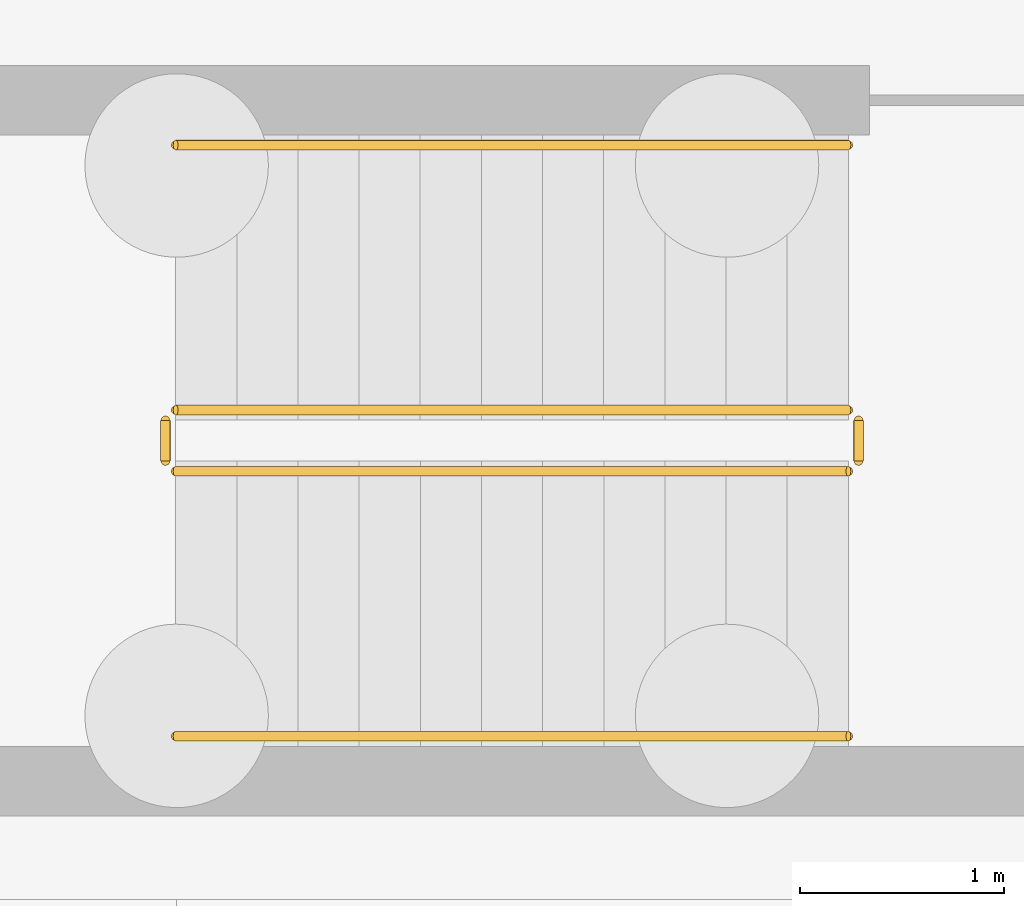
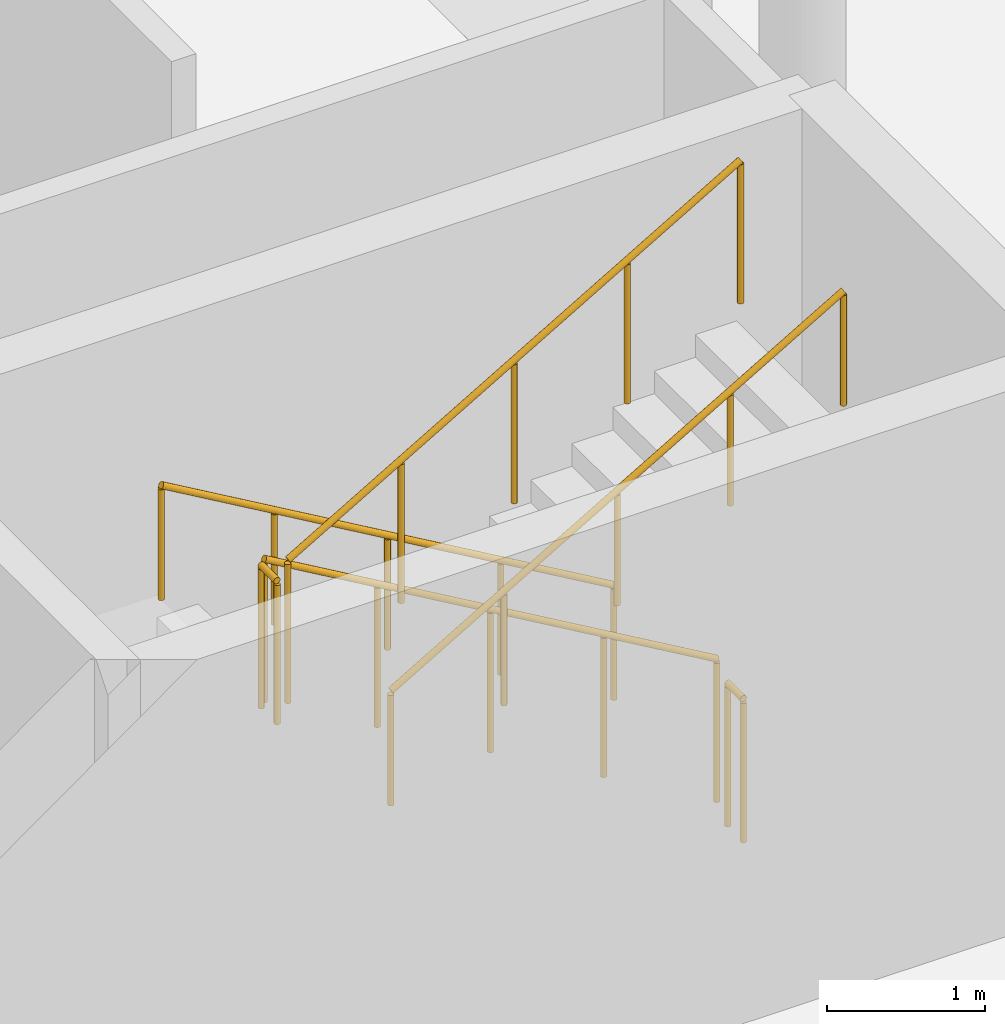
# One storey, part 41 of 43: 6 railings.
"""IFC4 building model written with IfcOpenShell, lengths in metres."""

from ifc_helpers import new_model, si_unit, direction, frame, origin, origin_2d, place, context, subcontext, project, spatial, circle, extrude, material, type_object, element, save


model = new_model("IFC4")

# Units and contexts
model_context = context("Model", 3, precision=1e-05, world=origin(), true_north=direction((0.0, 1.0)))
body_context = subcontext(model_context, "Body", "Model", "MODEL_VIEW")
ifc_project = project(units=[si_unit("LENGTHUNIT", "METRE"), si_unit("AREAUNIT", "SQUARE_METRE"), si_unit("VOLUMEUNIT", "CUBIC_METRE"), si_unit("PLANEANGLEUNIT", "RADIAN"), si_unit("MASSUNIT", "GRAM", prefix="KILO")], contexts=[model_context])

# Site, building, storey
site_placement = place(None, origin())
site = spatial("IfcSite", under=ifc_project, at=site_placement, CompositionType="ELEMENT")
building_placement = place(site_placement, origin())
building = spatial("IfcBuilding", under=site, at=building_placement, Name="Vespera Passage Community Centre", CompositionType="ELEMENT")
storey_placement = place(building_placement, frame((0.0, 0.0, -4.199951171875)))
storey = spatial("IfcBuildingStorey", under=building, at=storey_placement, Name="B1", CompositionType="ELEMENT", Elevation=-4.199951171875)

# Railings
ifc_material_1 = material(Name="Steel ASTM A500 Grade C", Category="steel")
railing_type_1 = type_object("IfcRailingType", Name="RL-HAND-900I", PredefinedType="HANDRAIL", material=ifc_material_1)
railing_1_placement = place(storey_placement, frame((144.294921875, 17.25, 0.175048828125)))
element("IfcRailing", 1, at=railing_1_placement, inside=storey, type_object=railing_type_1, Name="B1 ST08 stair handrail 1", PredefinedType="HANDRAIL", context=body_context, shape_type="SweptSolid", body=[
    extrude(circle(Radius=0.02392578125, at=origin_2d()), frame((0.0, 0.0, 0.8759765625), z_axis=(-0.863788172461, 0.0, 0.503855131081), x_axis=(0.0, -1.0, 0.0)), (0.0, 0.0, 1.0), 3.820068359375),
    extrude(circle(Radius=0.02099609375, at=origin_2d()), origin(), (0.0, 0.0, 1.0), 0.851806640625),
    extrude(circle(Radius=0.02099609375, at=origin_2d()), frame((-0.824951171875, 0.0, 0.481201171875)), (0.0, 0.0, 1.0), 0.851806640625),
    extrude(circle(Radius=0.02099609375, at=origin_2d()), frame((-1.64990234375, 0.0, 0.96240234375)), (0.0, 0.0, 1.0), 0.851806640625),
    extrude(circle(Radius=0.02099609375, at=origin_2d()), frame((-2.474853515625, 0.0, 1.443603515625)), (0.0, 0.0, 1.0), 0.851806640625),
    extrude(circle(Radius=0.02099609375, at=origin_2d()), frame((-3.2998046875, 0.0, 1.9248046875)), (0.0, 0.0, 1.0), 0.851806640625),
])
railing_2_placement = place(storey_placement, frame((140.9951171875, 14.35009765625, 2.27490234375)))
element("IfcRailing", 2, at=railing_2_placement, inside=storey, type_object=railing_type_1, Name="B1 ST08 stair handrail 2", PredefinedType="HANDRAIL", context=body_context, shape_type="SweptSolid", body=[
    extrude(circle(Radius=0.02392578125, at=origin_2d()), frame((0.0, 0.0, 0.8759765625), z_axis=(0.863760357493, 0.0, 0.503902812876), x_axis=(0.0, 1.0, 0.0)), (0.0, 0.0, 1.0), 3.8203125),
    extrude(circle(Radius=0.02099609375, at=origin_2d()), origin(), (0.0, 0.0, 1.0), 0.851806640625),
    extrude(circle(Radius=0.02099609375, at=origin_2d()), frame((0.824951171875, 0.0, 0.481201171875)), (0.0, 0.0, 1.0), 0.851806640625),
    extrude(circle(Radius=0.02099609375, at=origin_2d()), frame((1.64990234375, 0.0, 0.96240234375)), (0.0, 0.0, 1.0), 0.851806640625),
    extrude(circle(Radius=0.02099609375, at=origin_2d()), frame((2.474853515625, 0.0, 1.44384765625)), (0.0, 0.0, 1.0), 0.851806640625),
    extrude(circle(Radius=0.02099609375, at=origin_2d()), frame((3.2998046875, 0.0, 1.925048828125)), (0.0, 0.0, 1.0), 0.851806640625),
])
ifc_material_2 = material(Name="Steel ASTM A500 Grade C", Category="steel")
railing_type_2 = type_object("IfcRailingType", Name="RL-STAIR-1100I", PredefinedType="GUARDRAIL", material=ifc_material_2)
railing_3_placement = place(storey_placement, frame((144.294921875, 15.949951171875, 0.175048828125)))
element("IfcRailing", 3, at=railing_3_placement, inside=storey, type_object=railing_type_2, Name="B1 ST08 stair guard 1", PredefinedType="GUARDRAIL", context=body_context, shape_type="SweptSolid", body=[
    extrude(circle(Radius=0.02392578125, at=origin_2d()), frame((0.0, 0.0, 1.09619140625), z_axis=(-0.863788172461, 0.0, 0.503855131081), x_axis=(0.0, -1.0, 0.0)), (0.0, 0.0, 1.0), 3.820068359375),
    extrude(circle(Radius=0.02099609375, at=origin_2d()), origin(), (0.0, 0.0, 1.0), 1.072021484375),
    extrude(circle(Radius=0.02099609375, at=origin_2d()), frame((-0.824951171875, 0.0, 0.481201171875)), (0.0, 0.0, 1.0), 1.072021484375),
    extrude(circle(Radius=0.02099609375, at=origin_2d()), frame((-1.64990234375, 0.0, 0.96240234375)), (0.0, 0.0, 1.0), 1.072021484375),
    extrude(circle(Radius=0.02099609375, at=origin_2d()), frame((-2.474853515625, 0.0, 1.443603515625)), (0.0, 0.0, 1.0), 1.072021484375),
    extrude(circle(Radius=0.02099609375, at=origin_2d()), frame((-3.2998046875, 0.0, 1.9248046875)), (0.0, 0.0, 1.0), 1.072021484375),
])
railing_4_placement = place(storey_placement, frame((140.945068359375, 15.89990234375, 2.099853515625)))
element("IfcRailing", 4, at=railing_4_placement, inside=storey, type_object=railing_type_2, Name="B1 ST08 stair guard 2", PredefinedType="GUARDRAIL", context=body_context, shape_type="SweptSolid", body=[
    extrude(circle(Radius=0.02392578125, at=origin_2d()), frame((0.0, 0.0, 1.09619140625), z_axis=(0.0, -1.0, 0.0), x_axis=(1.0, 0.0, 0.0)), (0.0, 0.0, 1.0), 0.199951171875),
    extrude(circle(Radius=0.02099609375, at=origin_2d()), origin(), (0.0, 0.0, 1.0), 1.072021484375),
    extrude(circle(Radius=0.02099609375, at=origin_2d()), frame((0.0, -0.199951171875, 0.0)), (0.0, 0.0, 1.0), 1.072021484375),
])
railing_5_placement = place(storey_placement, frame((140.9951171875, 15.64990234375, 2.27490234375)))
element("IfcRailing", 5, at=railing_5_placement, inside=storey, type_object=railing_type_2, Name="B1 ST08 stair guard 3", PredefinedType="GUARDRAIL", context=body_context, shape_type="SweptSolid", body=[
    extrude(circle(Radius=0.02392578125, at=origin_2d()), frame((0.0, 0.0, 1.09619140625), z_axis=(0.863760357493, 0.0, 0.503902812876), x_axis=(0.0, 1.0, 0.0)), (0.0, 0.0, 1.0), 3.8203125),
    extrude(circle(Radius=0.02099609375, at=origin_2d()), origin(), (0.0, 0.0, 1.0), 1.072021484375),
    extrude(circle(Radius=0.02099609375, at=origin_2d()), frame((0.824951171875, 0.0, 0.481201171875)), (0.0, 0.0, 1.0), 1.072021484375),
    extrude(circle(Radius=0.02099609375, at=origin_2d()), frame((1.64990234375, 0.0, 0.96240234375)), (0.0, 0.0, 1.0), 1.072021484375),
    extrude(circle(Radius=0.02099609375, at=origin_2d()), frame((2.474853515625, 0.0, 1.44384765625)), (0.0, 0.0, 1.0), 1.072021484375),
    extrude(circle(Radius=0.02099609375, at=origin_2d()), frame((3.2998046875, 0.0, 1.925048828125)), (0.0, 0.0, 1.0), 1.072021484375),
])
railing_6_placement = place(storey_placement, frame((144.344970703125, 15.89990234375, 0.0)))
element("IfcRailing", 6, at=railing_6_placement, inside=storey, type_object=railing_type_2, Name="B1 ST08 stair guard 4", PredefinedType="GUARDRAIL", context=body_context, shape_type="SweptSolid", body=[
    extrude(circle(Radius=0.02392578125, at=origin_2d()), frame((0.0, 0.0, 1.09619140625), z_axis=(0.0, -1.0, 0.0), x_axis=(1.0, 0.0, 0.0)), (0.0, 0.0, 1.0), 0.199951171875),
    extrude(circle(Radius=0.02099609375, at=origin_2d()), origin(), (0.0, 0.0, 1.0), 1.072021484375),
    extrude(circle(Radius=0.02099609375, at=origin_2d()), frame((0.0, -0.199951171875, 0.0)), (0.0, 0.0, 1.0), 1.072021484375),
])

save(model, "model.ifc")
